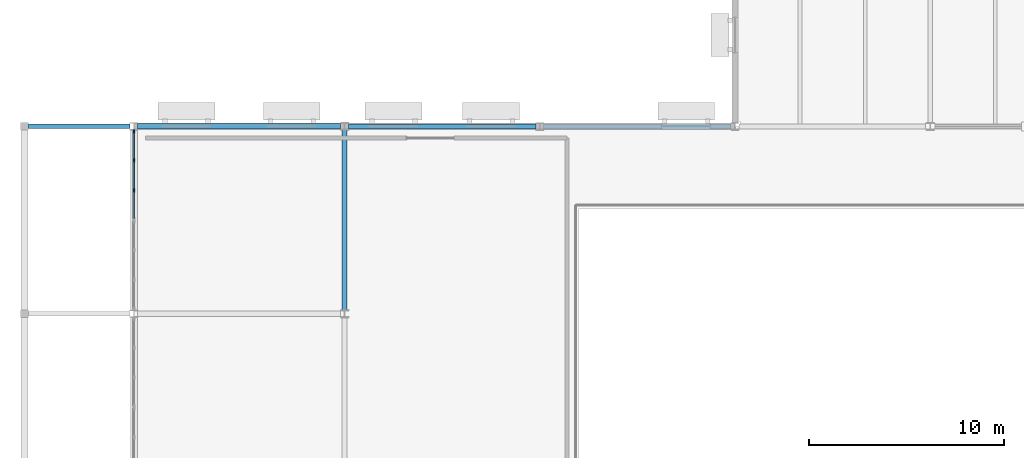
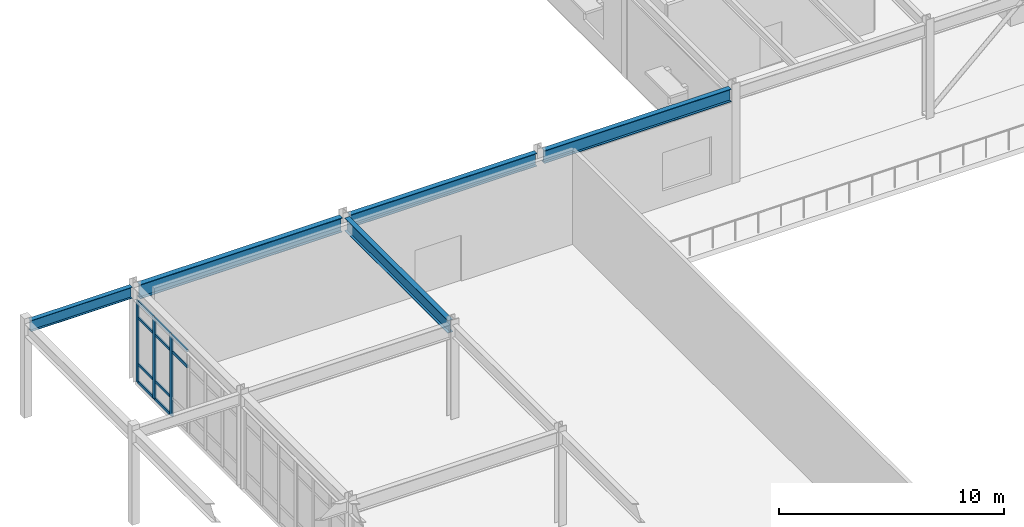
# One storey, part 22 of 72: 13 members, 5 beams, 1 element without a shape of its own.
"""IFC4 building model written with IfcOpenShell, lengths in metres."""

from ifc_helpers import new_model, si_unit, direction, frame, origin, origin_2d, place, context, subcontext, project, spatial, rectangle, i_section, extrude, material, material_profile, profile_set, type_object, element, aggregate, save


model = new_model("IFC4")

# Units and contexts
model_context = context("Model", 3, precision=1e-05, world=origin(), true_north=direction((0.0, 1.0)))
body_context = subcontext(model_context, "Body", "Model", "MODEL_VIEW")
ifc_project = project(units=[si_unit("LENGTHUNIT", "METRE"), si_unit("AREAUNIT", "SQUARE_METRE"), si_unit("VOLUMEUNIT", "CUBIC_METRE"), si_unit("PLANEANGLEUNIT", "RADIAN"), si_unit("MASSUNIT", "GRAM", prefix="KILO")], contexts=[model_context])

# Site, building, storey
site_placement = place(None, origin())
site = spatial("IfcSite", under=ifc_project, at=site_placement, CompositionType="ELEMENT")
building_placement = place(site_placement, origin())
building = spatial("IfcBuilding", under=site, at=building_placement, Name="Veldera Park Congress Hotel", CompositionType="ELEMENT")
storey_placement = place(building_placement, frame((0.0, 0.0, 5.39990234375)))
storey = spatial("IfcBuildingStorey", under=building, at=storey_placement, Name="L01", CompositionType="ELEMENT", Elevation=5.39990234375)

# Beams
ifc_material_1 = material(Name="Steel ASTM A992 Gr.50", Category="steel")
ifc_material_profile_1 = material_profile(ifc_material_1, i_section(OverallWidth=0.22900390625, OverallDepth=0.612060546875, WebThickness=0.011962890625, FlangeThickness=0.01953125, at=origin_2d()), Name="W24X84")
ifc_profile_set_1 = profile_set([ifc_material_profile_1], Name="Steel ASTM A992 Gr.50")
beam_type_1 = type_object("IfcBeamType", Name="BM-W24", PredefinedType="BEAM", material=ifc_profile_set_1)
beam_1_placement = place(storey_placement, frame((-83.60498046875, 27.0, 4.82421875), z_axis=(1.0, 0.0, 0.0), x_axis=(0.0, 1.0, 0.0)))
element("IfcBeam", 1, at=beam_1_placement, inside=storey, type_object=beam_type_1, Name="L01 Girder BM-W24 609", PredefinedType="BEAM", context=body_context, shape_type="SweptSolid", body=[
    extrude(i_section(OverallWidth=0.22900390625, OverallDepth=0.612060546875, WebThickness=0.011962890625, FlangeThickness=0.01953125, at=origin_2d()), origin(), (0.0, 0.0, 1.0), 5.2080078125),
])
ifc_material_profile_2 = material_profile(ifc_material_1, i_section(OverallWidth=0.256103515625, OverallDepth=0.693115234375, WebThickness=0.014404296875, FlangeThickness=0.023681640625, at=origin_2d()), Name="W27X114")
ifc_profile_set_2 = profile_set([ifc_material_profile_2], Name="Steel ASTM A992 Gr.50")
beam_type_2 = type_object("IfcBeamType", Name="BM-W27", PredefinedType="BEAM", material=ifc_profile_set_2)
beam_2_placement = place(storey_placement, frame((-67.39990234375, 17.599609375, 4.78369140625), z_axis=(0.0, 1.0, 0.0), x_axis=(-1.0, 0.0, 0.0)))
element("IfcBeam", 2, at=beam_2_placement, inside=storey, type_object=beam_type_2, Name="L01 Girder BM-W27 681", PredefinedType="BEAM", context=body_context, shape_type="SweptSolid", body=[
    extrude(i_section(OverallWidth=0.256103515625, OverallDepth=0.693115234375, WebThickness=0.014404296875, FlangeThickness=0.023681640625, at=origin_2d()), origin(), (0.0, 0.0, 1.0), 9.200927734375),
])
ifc_material_profile_3 = material_profile(ifc_material_1, i_section(OverallWidth=0.25390625, OverallDepth=0.700927734375, WebThickness=0.015380859375, FlangeThickness=0.02783203125, at=origin_2d()), Name="W27X129")
ifc_profile_set_3 = profile_set([ifc_material_profile_3], Name="Steel ASTM A992 Gr.50")
beam_type_3 = type_object("IfcBeamType", Name="BM-W27B", PredefinedType="BEAM", material=ifc_profile_set_3)
beam_3_placement = place(storey_placement, frame((-67.199462890625, 27.0, 4.779541015625), z_axis=(1.0, 0.0, 0.0), x_axis=(0.0, 1.0, 0.0)))
element("IfcBeam", 3, at=beam_3_placement, inside=storey, type_object=beam_type_3, Name="L01 Girder BM-W27B 611", PredefinedType="BEAM", context=body_context, shape_type="SweptSolid", body=[
    extrude(i_section(OverallWidth=0.25390625, OverallDepth=0.700927734375, WebThickness=0.015380859375, FlangeThickness=0.02783203125, at=origin_2d()), origin(), (0.0, 0.0, 1.0), 9.6015625),
])
beam_4_placement = place(storey_placement, frame((-57.201904296875, 27.0, 4.779541015625), z_axis=(1.0, 0.0, 0.0), x_axis=(0.0, 1.0, 0.0)))
element("IfcBeam", 4, at=beam_4_placement, inside=storey, type_object=beam_type_3, Name="L01 Girder BM-W27B 612", PredefinedType="BEAM", context=body_context, shape_type="SweptSolid", body=[
    extrude(i_section(OverallWidth=0.25390625, OverallDepth=0.700927734375, WebThickness=0.015380859375, FlangeThickness=0.02783203125, at=origin_2d()), origin(), (0.0, 0.0, 1.0), 9.60400390625),
])
ifc_material_profile_4 = material_profile(ifc_material_1, i_section(OverallWidth=0.26708984375, OverallDepth=0.779052734375, WebThickness=0.0166015625, FlangeThickness=0.030029296875, at=origin_2d()), Name="W30X148")
ifc_profile_set_4 = profile_set([ifc_material_profile_4], Name="Steel ASTM A992 Gr.50")
beam_type_4 = type_object("IfcBeamType", Name="BM-W30", PredefinedType="BEAM", material=ifc_profile_set_4)
beam_5_placement = place(storey_placement, frame((-78.0029296875, 27.0, 4.740478515625), z_axis=(1.0, 0.0, 0.0), x_axis=(0.0, 1.0, 0.0)))
element("IfcBeam", 5, at=beam_5_placement, inside=storey, type_object=beam_type_4, Name="L01 Girder BM-W30 610", PredefinedType="BEAM", context=body_context, shape_type="SweptSolid", body=[
    extrude(i_section(OverallWidth=0.26708984375, OverallDepth=0.779052734375, WebThickness=0.0166015625, FlangeThickness=0.030029296875, at=origin_2d()), origin(), (0.0, 0.0, 1.0), 10.40234375),
])

# Curtain wall, members
ifc_material_2 = material(Name="Low-E Triple Insulating Glass Unit (SHGC 0.22)", Category="glass")
curtain_wall_type = type_object("IfcCurtainWallType", Name="CW-CNG", PredefinedType="NOTDEFINED", material=ifc_material_2)
curtain_wall_placement = place(storey_placement, origin())
curtain_wall = element("IfcCurtainWall", 6, at=curtain_wall_placement, inside=storey, type_object=curtain_wall_type, Name="L01 Curtain Wall CW3-V1W-L01-011", PredefinedType="NOTDEFINED")
ifc_material_3 = material(Name="Anodised Aluminium Alloy 6063-T6", Category="aluminium")
ifc_material_profile_5 = material_profile(ifc_material_3, rectangle(XDim=0.074951171875, YDim=0.199951171875, at=origin_2d()), Name="ALU 75x200")
ifc_profile_set_5 = profile_set([ifc_material_profile_5], Name="Anodised Aluminium Alloy 6063-T6")
member_type_1 = type_object("IfcMemberType", Name="CWM-200", PredefinedType="MULLION", material=ifc_profile_set_5)
member_1_placement = place(storey_placement, frame((-78.199951171875, 26.735107421875, 0.0), z_axis=(0.0, 0.0, 1.0), x_axis=(1.0, 0.0, 0.0)))
member_1 = element("IfcMember", 7, at=member_1_placement, type_object=member_type_1, Name="CW-CNG mullion 1", PredefinedType="MULLION", context=body_context, shape_type="SweptSolid", body=[
    extrude(rectangle(XDim=0.074951171875, YDim=0.199951171875, at=origin_2d()), origin(), (0.0, 0.0, 1.0), 4.42919921875),
])
member_2_placement = place(storey_placement, frame((-78.199951171875, 25.25341796875, 0.0), z_axis=(0.0, 0.0, 1.0), x_axis=(1.0, 0.0, 0.0)))
member_2 = element("IfcMember", 8, at=member_2_placement, type_object=member_type_1, Name="CW-CNG mullion 2", PredefinedType="MULLION", context=body_context, shape_type="SweptSolid", body=[
    extrude(rectangle(XDim=0.074951171875, YDim=0.199951171875, at=origin_2d()), origin(), (0.0, 0.0, 1.0), 4.42919921875),
])
member_3_placement = place(storey_placement, frame((-78.199951171875, 23.734130859375, 0.0), z_axis=(0.0, 0.0, 1.0), x_axis=(1.0, 0.0, 0.0)))
member_3 = element("IfcMember", 9, at=member_3_placement, type_object=member_type_1, Name="CW-CNG mullion 3", PredefinedType="MULLION", context=body_context, shape_type="SweptSolid", body=[
    extrude(rectangle(XDim=0.074951171875, YDim=0.199951171875, at=origin_2d()), origin(), (0.0, 0.0, 1.0), 4.42919921875),
])
ifc_material_profile_6 = material_profile(ifc_material_3, rectangle(XDim=0.074951171875, YDim=0.14990234375, at=origin_2d()), Name="ALU 75x150")
ifc_profile_set_6 = profile_set([ifc_material_profile_6], Name="Anodised Aluminium Alloy 6063-T6")
member_type_2 = type_object("IfcMemberType", Name="CWT-150", PredefinedType="USERDEFINED", material=ifc_profile_set_6)
member_4_placement = place(storey_placement, frame((-78.199951171875, 26.697509765625, 0.03759765625), z_axis=(0.0, -1.0, 0.0), x_axis=(1.0, 0.0, 0.0)))
member_4 = element("IfcMember", 10, at=member_4_placement, type_object=member_type_2, Name="CW-CNG transom 1.1", ObjectType="TRANSOM", PredefinedType="USERDEFINED", context=body_context, shape_type="SweptSolid", body=[
    extrude(rectangle(XDim=0.074951171875, YDim=0.14990234375, at=origin_2d()), origin(), (0.0, 0.0, 1.0), 1.40673828125),
])
member_5_placement = place(storey_placement, frame((-78.199951171875, 26.697509765625, 1.0), z_axis=(0.0, -1.0, 0.0), x_axis=(1.0, 0.0, 0.0)))
member_5 = element("IfcMember", 11, at=member_5_placement, type_object=member_type_2, Name="CW-CNG transom 1.2", ObjectType="TRANSOM", PredefinedType="USERDEFINED", context=body_context, shape_type="SweptSolid", body=[
    extrude(rectangle(XDim=0.074951171875, YDim=0.14990234375, at=origin_2d()), origin(), (0.0, 0.0, 1.0), 1.40673828125),
])
member_6_placement = place(storey_placement, frame((-78.199951171875, 26.697509765625, 3.529052734375), z_axis=(0.0, -1.0, 0.0), x_axis=(1.0, 0.0, 0.0)))
member_6 = element("IfcMember", 12, at=member_6_placement, type_object=member_type_2, Name="CW-CNG transom 1.3", ObjectType="TRANSOM", PredefinedType="USERDEFINED", context=body_context, shape_type="SweptSolid", body=[
    extrude(rectangle(XDim=0.074951171875, YDim=0.14990234375, at=origin_2d()), origin(), (0.0, 0.0, 1.0), 1.40673828125),
])
member_7_placement = place(storey_placement, frame((-78.199951171875, 26.697509765625, 4.3916015625), z_axis=(0.0, -1.0, 0.0), x_axis=(1.0, 0.0, 0.0)))
member_7 = element("IfcMember", 13, at=member_7_placement, type_object=member_type_2, Name="CW-CNG transom 1.4", ObjectType="TRANSOM", PredefinedType="USERDEFINED", context=body_context, shape_type="SweptSolid", body=[
    extrude(rectangle(XDim=0.074951171875, YDim=0.14990234375, at=origin_2d()), origin(), (0.0, 0.0, 1.0), 1.40673828125),
])
member_8_placement = place(storey_placement, frame((-78.199951171875, 25.2158203125, 0.03759765625), z_axis=(0.0, -1.0, 0.0), x_axis=(1.0, 0.0, 0.0)))
member_8 = element("IfcMember", 14, at=member_8_placement, type_object=member_type_2, Name="CW-CNG transom 2.1", ObjectType="TRANSOM", PredefinedType="USERDEFINED", context=body_context, shape_type="SweptSolid", body=[
    extrude(rectangle(XDim=0.074951171875, YDim=0.14990234375, at=origin_2d()), origin(), (0.0, 0.0, 1.0), 1.444091796875),
])
member_9_placement = place(storey_placement, frame((-78.199951171875, 25.2158203125, 1.0), z_axis=(0.0, -1.0, 0.0), x_axis=(1.0, 0.0, 0.0)))
member_9 = element("IfcMember", 15, at=member_9_placement, type_object=member_type_2, Name="CW-CNG transom 2.2", ObjectType="TRANSOM", PredefinedType="USERDEFINED", context=body_context, shape_type="SweptSolid", body=[
    extrude(rectangle(XDim=0.074951171875, YDim=0.14990234375, at=origin_2d()), origin(), (0.0, 0.0, 1.0), 1.444091796875),
])
member_10_placement = place(storey_placement, frame((-78.199951171875, 25.2158203125, 3.529052734375), z_axis=(0.0, -1.0, 0.0), x_axis=(1.0, 0.0, 0.0)))
member_10 = element("IfcMember", 16, at=member_10_placement, type_object=member_type_2, Name="CW-CNG transom 2.3", ObjectType="TRANSOM", PredefinedType="USERDEFINED", context=body_context, shape_type="SweptSolid", body=[
    extrude(rectangle(XDim=0.074951171875, YDim=0.14990234375, at=origin_2d()), origin(), (0.0, 0.0, 1.0), 1.444091796875),
])
member_11_placement = place(storey_placement, frame((-78.199951171875, 25.2158203125, 4.3916015625), z_axis=(0.0, -1.0, 0.0), x_axis=(1.0, 0.0, 0.0)))
member_11 = element("IfcMember", 17, at=member_11_placement, type_object=member_type_2, Name="CW-CNG transom 2.4", ObjectType="TRANSOM", PredefinedType="USERDEFINED", context=body_context, shape_type="SweptSolid", body=[
    extrude(rectangle(XDim=0.074951171875, YDim=0.14990234375, at=origin_2d()), origin(), (0.0, 0.0, 1.0), 1.444091796875),
])
member_12_placement = place(storey_placement, frame((-78.199951171875, 23.69677734375, 3.529052734375), z_axis=(0.0, -1.0, 0.0), x_axis=(1.0, 0.0, 0.0)))
member_12 = element("IfcMember", 18, at=member_12_placement, type_object=member_type_2, Name="CW-CNG transom 3.3", ObjectType="TRANSOM", PredefinedType="USERDEFINED", context=body_context, shape_type="SweptSolid", body=[
    extrude(rectangle(XDim=0.074951171875, YDim=0.14990234375, at=origin_2d()), origin(), (0.0, 0.0, 1.0), 1.40673828125),
])
member_13_placement = place(storey_placement, frame((-78.199951171875, 23.69677734375, 4.3916015625), z_axis=(0.0, -1.0, 0.0), x_axis=(1.0, 0.0, 0.0)))
member_13 = element("IfcMember", 19, at=member_13_placement, type_object=member_type_2, Name="CW-CNG transom 3.4", ObjectType="TRANSOM", PredefinedType="USERDEFINED", context=body_context, shape_type="SweptSolid", body=[
    extrude(rectangle(XDim=0.074951171875, YDim=0.14990234375, at=origin_2d()), origin(), (0.0, 0.0, 1.0), 1.40673828125),
])
aggregate(curtain_wall, [member_1, member_2, member_3, member_4, member_5, member_6, member_7, member_8, member_9, member_10, member_11, member_12, member_13])

save(model, "model.ifc")
